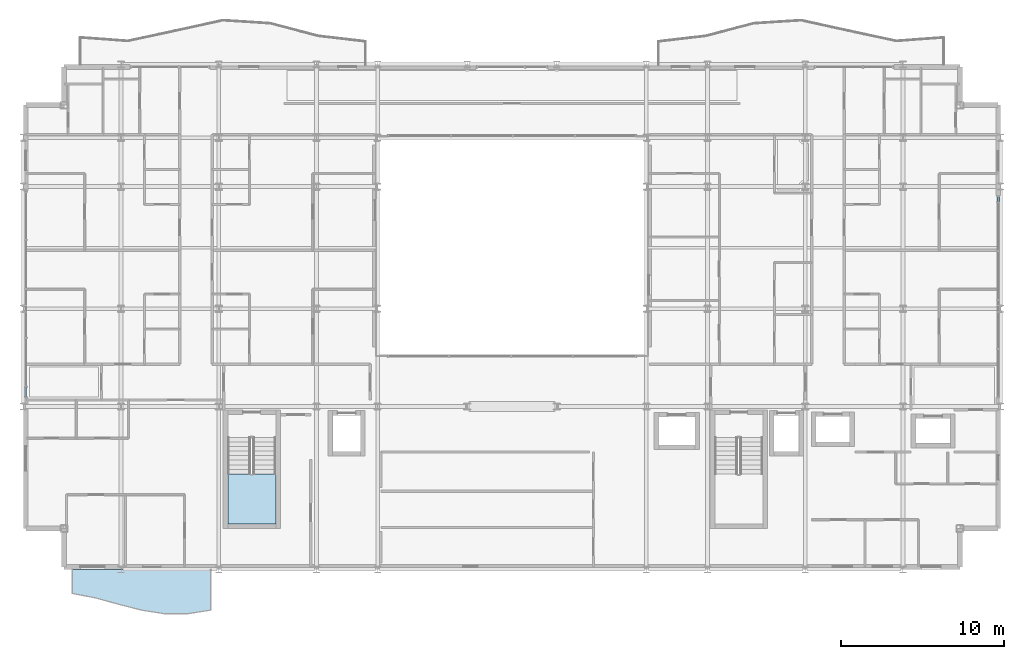
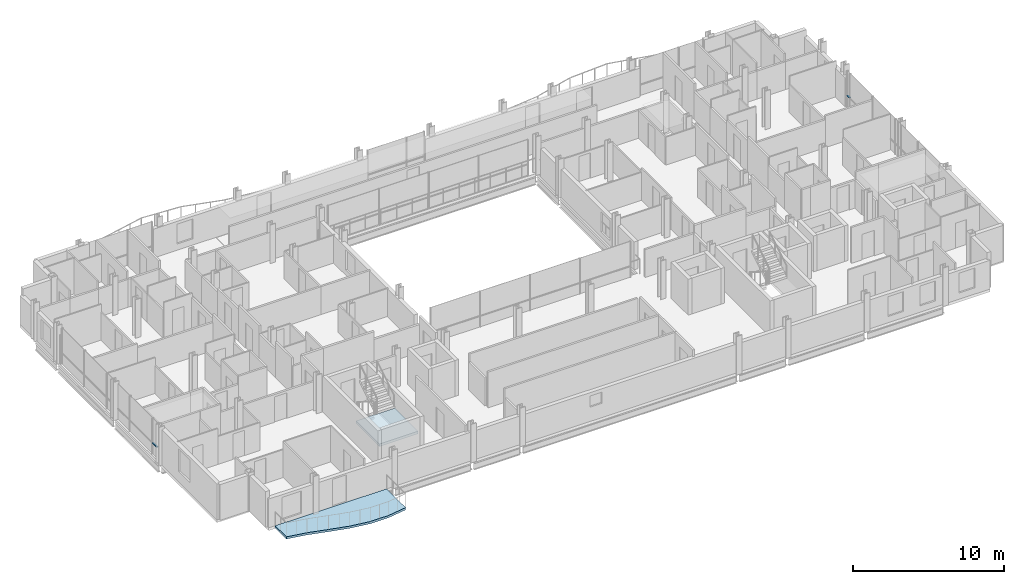
# One storey, part 25 of 41: 2 members, 2 slabs, 3 elements without a shape of their own.
"""IFC4 building model written with IfcOpenShell, lengths in metres."""

from ifc_helpers import new_model, si_unit, direction, frame, origin, origin_2d, place, context, subcontext, project, spatial, polyline, hollow_rectangle, outline, extrude, material, layer, layer_set, material_profile, profile_set, type_object, element, aggregate, save


model = new_model("IFC4")

# Units and contexts
model_context = context("Model", 3, precision=1e-05, world=origin(), true_north=direction((0.0, 1.0)))
body_context = subcontext(model_context, "Body", "Model", "MODEL_VIEW")
ifc_project = project(units=[si_unit("LENGTHUNIT", "METRE"), si_unit("AREAUNIT", "SQUARE_METRE"), si_unit("VOLUMEUNIT", "CUBIC_METRE"), si_unit("PLANEANGLEUNIT", "RADIAN"), si_unit("MASSUNIT", "GRAM", prefix="KILO")], contexts=[model_context])

# Site, building, storey
site_placement = place(None, origin())
site = spatial("IfcSite", under=ifc_project, at=site_placement, CompositionType="ELEMENT")
building_placement = place(site_placement, origin())
building = spatial("IfcBuilding", under=site, at=building_placement, Name="Brevholm Reach", CompositionType="ELEMENT")
storey_placement = place(building_placement, frame((0.0, 0.0, 112.800048828125)))
storey = spatial("IfcBuildingStorey", under=building, at=storey_placement, Name="L33", CompositionType="ELEMENT", Elevation=112.800048828125)

# Curtain wall, member
ifc_material_1 = material(Name="Dark Anodised Aluminium 6063-T6 and Solar-Control Glass", Category="aluminium")
ifc_layer_1 = layer(ifc_material_1, 0.14990234375)
ifc_layer_set_1 = layer_set([ifc_layer_1], Name="Dark Anodised Aluminium 6063-T6 and Solar-Control Glass")
curtain_wall_type = type_object("IfcCurtainWallType", Name="CW-01", PredefinedType="NOTDEFINED", material=ifc_layer_set_1)
curtain_wall_1_placement = place(storey_placement, origin())
curtain_wall_1 = element("IfcCurtainWall", 1, at=curtain_wall_1_placement, inside=storey, type_object=curtain_wall_type, Name="L33 Curtain Wall CW-01", PredefinedType="NOTDEFINED")
ifc_material_2 = material(Name="Dark Anodised Aluminium 6063-T6", Category="aluminium")
ifc_material_profile = material_profile(ifc_material_2, hollow_rectangle(XDim=0.06494140625, YDim=0.14990234375, WallThickness=0.0048828125, InnerFilletRadius=0.0048828125, OuterFilletRadius=0.010009765625, at=origin_2d()), Name="RHS 150x65x5")
ifc_profile_set = profile_set([ifc_material_profile], Name="Dark Anodised Aluminium 6063-T6")
member_type = type_object("IfcMemberType", Name="CWT-150", PredefinedType="NOTDEFINED", material=ifc_profile_set)
member_1_placement = place(storey_placement, frame((0.14990234375, 11.1875, 0.89990234375), z_axis=(0.0, -1.0, 0.0), x_axis=(0.0, 0.0, 1.0)))
member_1 = element("IfcMember", 2, at=member_1_placement, type_object=member_type, Name="CT-150 Transom 5.1", ObjectType="TRANSOM", PredefinedType="USERDEFINED", context=body_context, shape_type="SweptSolid", body=[
    extrude(hollow_rectangle(XDim=0.06494140625, YDim=0.14990234375, WallThickness=0.0048828125, InnerFilletRadius=0.0048828125, OuterFilletRadius=0.010009765625, at=origin_2d()), origin(), (0.0, 0.0, 1.0), 0.572509765625),
])
aggregate(curtain_wall_1, [member_1])

curtain_wall_2_placement = place(storey_placement, origin())
curtain_wall_2 = element("IfcCurtainWall", 3, at=curtain_wall_2_placement, inside=storey, type_object=curtain_wall_type, Name="L33 Curtain Wall CW-01", PredefinedType="NOTDEFINED")
member_2_placement = place(storey_placement, frame((59.85009765625, 22.58251953125, 0.89990234375), z_axis=(0.0, 1.0, 0.0), x_axis=(0.0, 0.0, 1.0)))
member_2 = element("IfcMember", 4, at=member_2_placement, type_object=member_type, Name="CT-150 Transom 5.1", ObjectType="TRANSOM", PredefinedType="USERDEFINED", context=body_context, shape_type="SweptSolid", body=[
    extrude(hollow_rectangle(XDim=0.06494140625, YDim=0.14990234375, WallThickness=0.0048828125, InnerFilletRadius=0.0048828125, OuterFilletRadius=0.010009765625, at=origin_2d()), origin(), (0.0, 0.0, 1.0), 0.302490234375),
])
aggregate(curtain_wall_2, [member_2])

# Slab
ifc_material_3 = material(Name="Precast Concrete C40/50", Category="concrete")
ifc_layer_2 = layer(ifc_material_3, 0.179931640625)
ifc_layer_set_2 = layer_set([ifc_layer_2], Name="Precast Concrete C40/50")
slab_type_1 = type_object("IfcSlabType", Name="SLB-BAL-180", PredefinedType="FLOOR", material=ifc_layer_set_2)
slab_1_placement = place(storey_placement, frame((0.0, 0.0, -0.179931640625)))
element("IfcSlab", 5, at=slab_1_placement, inside=storey, type_object=slab_type_1, Name="L33 Rippling External Balcony SW", PredefinedType="FLOOR", context=body_context, shape_type="SweptSolid", body=[
    extrude(outline(polyline([(3.0, -1.4736328125), (4.416748046875, -1.747802734375), (5.833251953125, -2.1337890625), (7.25, -2.499755859375), (8.666748046875, -2.720458984375), (10.083251953125, -2.720458984375), (11.5, -2.499755859375), (11.5, 0.0), (3.0, 0.0), (3.0, -1.4736328125)])), origin(), (0.0, 0.0, 1.0), 0.179931640625),
])

# Stair, slab
ifc_material_4 = material(Name="Precast Concrete C40/50", Category="concrete")
stair_type = type_object("IfcStairType", Name="STR-ESC-1400", PredefinedType="DOUBLE_RETURN_STAIR", material=ifc_material_4)
stair_placement = place(storey_placement, origin())
stair = element("IfcStair", 6, at=stair_placement, inside=storey, type_object=stair_type, Name="L33 ST-1", PredefinedType="DOUBLE_RETURN_STAIR")
ifc_material_5 = material(Name="Concrete C40/50", Category="concrete")
ifc_layer_3 = layer(ifc_material_5, 0.199951171875)
ifc_layer_set_3 = layer_set([ifc_layer_3], Name="Concrete C40/50")
slab_type_2 = type_object("IfcSlabType", Name="SLB-LND-200", PredefinedType="LANDING", material=ifc_layer_set_3)
slab_2_placement = place(storey_placement, frame((0.0, 0.0, 1.349853515625)))
slab_2 = element("IfcSlab", 7, at=slab_2_placement, type_object=slab_type_2, Name="ST-1 landing 1", PredefinedType="LANDING", context=body_context, shape_type="SweptSolid", body=[
    extrude(outline(polyline([(12.550048828125, 5.860107421875), (12.550048828125, 2.780029296875), (15.5, 2.780029296875), (15.5, 5.860107421875), (12.550048828125, 5.860107421875)])), origin(), (0.0, 0.0, 1.0), 0.2001953125),
])
aggregate(stair, [slab_2])

save(model, "model.ifc")
